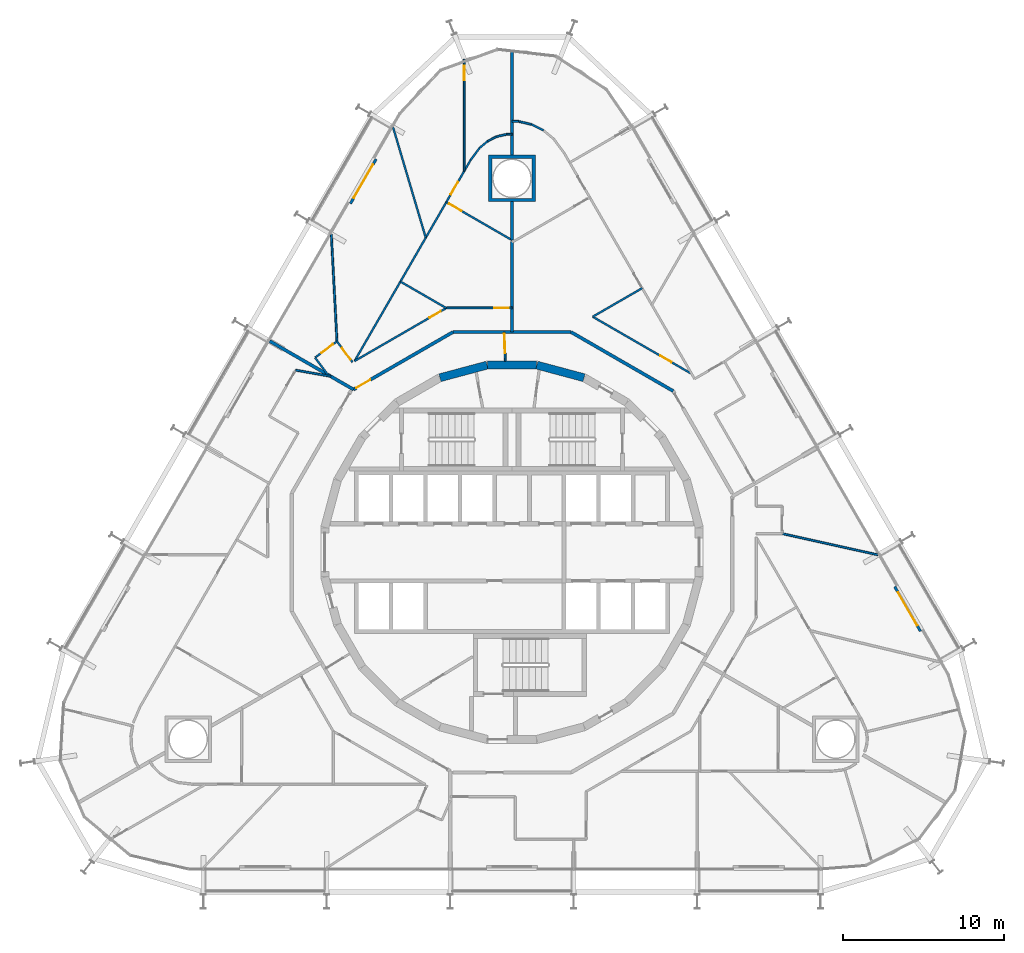
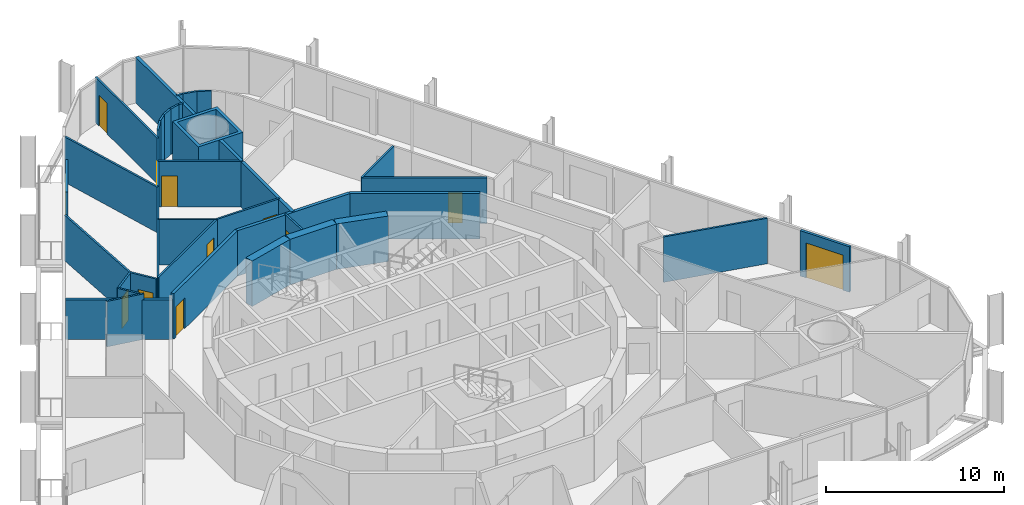
# One storey, part 18 of 21: 37 walls, 12 doors, 12 openings.
"""IFC4 building model written with IfcOpenShell, lengths in metres."""

from ifc_helpers import new_model, si_unit, direction, frame, frame_2d, origin, place, context, subcontext, project, spatial, polyline, rectangle, outline, extrude, material, layer, layer_set, type_object, element, fill, save


model = new_model("IFC4")

# Units and contexts
model_context = context("Model", 3, precision=1e-05, world=origin(), true_north=direction((0.0, 1.0)))
body_context = subcontext(model_context, "Body", "Model", "MODEL_VIEW")
ifc_project = project(units=[si_unit("LENGTHUNIT", "METRE"), si_unit("AREAUNIT", "SQUARE_METRE"), si_unit("VOLUMEUNIT", "CUBIC_METRE"), si_unit("PLANEANGLEUNIT", "RADIAN"), si_unit("MASSUNIT", "GRAM", prefix="KILO")], contexts=[model_context])

# Site, building, storey
site_placement = place(None, origin())
site = spatial("IfcSite", under=ifc_project, at=site_placement, CompositionType="ELEMENT")
building_placement = place(site_placement, origin())
building = spatial("IfcBuilding", under=site, at=building_placement, Name="Spindle Arch Residences", CompositionType="ELEMENT")
storey_placement = place(building_placement, frame((0.0, 0.0, 48.89990234375)))
storey = spatial("IfcBuildingStorey", under=building, at=storey_placement, Name="L10", CompositionType="ELEMENT", Elevation=48.89990234375)

# Walls
ifc_material_1 = material(Name="Concrete C50/60", Category="concrete")
ifc_layer_1 = layer(ifc_material_1, 0.5)
ifc_layer_set_1 = layer_set([ifc_layer_1], Name="Core outline wall 500")
wall_type_1 = type_object("IfcWallType", Name="Core outline wall 500", PredefinedType="SHEAR", material=ifc_layer_set_1)
for number, where, z_axis, x_axis, name in (
    (1, (4.479248046875, 10.858154296875, 0.0), (0.0, 0.0, 1.0), (-0.965948410781, 0.258734743916, 0.0), "Core outline wall 11"),
    (2, (1.516357421875, 11.647216796875, 0.0), (0.0, 0.0, 1.0), (-1.0, 0.0, 0.0), "Core outline wall 12"),
    (3, (-1.5498046875, 11.642822265625, 0.0), (0.0, 0.0, 1.0), (-0.965948410781, -0.258734743916, 0.0), "Core outline wall 13"),
):
    element("IfcWall", number, at=place(storey_placement, frame(where, z_axis=z_axis, x_axis=x_axis)), inside=storey, type_object=wall_type_1, Name=name, PredefinedType="SHEAR", context=body_context, shape_type="SweptSolid", body=[
        extrude(rectangle(XDim=3.03271484375, YDim=0.5, at=frame_2d((1.516357421875, 0.0))), origin(), (0.0, 0.0, 1.0), 3.1201171875),
    ])

# Wall, opening, door
ifc_material_2 = material(Name="Plasterboard on steel studs", Category="steel")
ifc_layer_2 = layer(ifc_material_2, 0.1201171875)
ifc_layer_set_2 = layer_set([ifc_layer_2], Name="Corridor division wall 120")
wall_type_2 = type_object("IfcWallType", Name="Corridor division wall 120", PredefinedType="PARTITIONING", material=ifc_layer_set_2)
wall_1_placement = place(storey_placement, frame((-0.478515625, 13.699951171875, 0.0), z_axis=(0.0, 0.0, 1.0), x_axis=(0.034919103017, -0.999390142159, 0.0)))
wall_1 = element("IfcWall", 4, at=wall_1_placement, inside=storey, type_object=wall_type_2, Name="Corridor division wall R1B1-W001", PredefinedType="PARTITIONING", context=body_context, shape_type="SweptSolid", body=[
    extrude(rectangle(XDim=1.803955078125, YDim=0.1201171875, at=frame_2d((0.90185546875, 0.0))), origin(), (0.0, 0.0, 1.0), 3.1201171875),
])
opening_1_placement = place(wall_1_placement, frame((0.110107421875, 0.0, 0.0)))
opening_1 = element("IfcOpeningElement", 5, at=opening_1_placement, cuts=wall_1, Name="Opening R1B1-CD01", PredefinedType="OPENING", context=body_context, shape_type="SweptSolid", body=[
    extrude(rectangle(XDim=1.199951171875, YDim=2.10009765625, at=frame_2d((0.60009765625, 1.050048828125))), frame((0.0, 0.070068359375, 0.0), z_axis=(0.0, -1.0, 0.0), x_axis=(1.0, 0.0, 0.0)), (0.0, 0.0, 1.0), 0.14013671875),
])
ifc_material_3 = material(Name="Steel, fire-resisting door", Category="steel")
door_type_1 = type_object("IfcDoorType", Name="Corridor division door 1200x2100", OperationType="NOTDEFINED", PredefinedType="DOOR", material=ifc_material_3)
door_1_placement = place(opening_1_placement, origin())
door_1 = element("IfcDoor", 6, at=door_1_placement, inside=storey, type_object=door_type_1, Name="Corridor division door R1B1-CD01", OperationType="DOUBLE_DOOR_SINGLE_SWING", OverallHeight=2.10009765625, OverallWidth=1.199951171875, PredefinedType="DOOR", context=body_context, shape_type="SweptSolid", body=[
    extrude(rectangle(XDim=1.199951171875, YDim=2.10009765625, at=frame_2d((0.60009765625, 1.050048828125))), frame((0.0, 0.02490234375, 0.0), z_axis=(0.0, -1.0, 0.0), x_axis=(1.0, 0.0, 0.0)), (0.0, 0.0, 1.0), 0.050048828125),
])
fill(opening_1, door_1)

# Walls
ifc_material_4 = material(Name="Calcium silicate block, plastered")
ifc_layer_3 = layer(ifc_material_4, 0.199951171875)
ifc_layer_set_3 = layer_set([ifc_layer_3], Name="Corridor wall 200")
wall_type_3 = type_object("IfcWallType", Name="Corridor wall 200", PredefinedType="STANDARD", material=ifc_layer_set_3)
for number, where, z_axis, x_axis, name in (
    (7, (10.029052734375, 10.029052734375, 0.0), (0.0, 0.0, 1.0), (-0.866024439905, 0.500001669485, 0.0), "Corridor wall R1B1-W005"),
    (8, (3.6708984375, 13.699951171875, 0.0), (0.0, 0.0, 1.0), (-1.0, 0.0, 0.0), "Corridor wall R1B1-W006"),
):
    element("IfcWall", number, at=place(storey_placement, frame(where, z_axis=z_axis, x_axis=x_axis)), inside=storey, type_object=wall_type_3, Name=name, PredefinedType="STANDARD", context=body_context, shape_type="SweptSolid", body=[
        extrude(rectangle(XDim=7.341796875, YDim=0.199951171875, at=frame_2d((3.6708984375, 0.0))), origin(), (0.0, 0.0, 1.0), 3.1201171875),
    ])

# Wall, opening, door
wall_2_placement = place(storey_placement, frame((-3.6708984375, 13.699951171875, 0.0), z_axis=(0.0, 0.0, 1.0), x_axis=(-0.866031419417, -0.499989580474, 0.0)))
wall_2 = element("IfcWall", 9, at=wall_2_placement, inside=storey, type_object=wall_type_3, Name="Corridor wall R1B1-W009", PredefinedType="STANDARD", context=body_context, shape_type="SweptSolid", body=[
    extrude(rectangle(XDim=7.146728515625, YDim=0.199951171875, at=frame_2d((3.5732421875, 0.0))), origin(), (0.0, 0.0, 1.0), 3.1201171875),
])
opening_2_placement = place(wall_2_placement, frame((5.946533203125, 0.0, 0.0)))
opening_2 = element("IfcOpeningElement", 10, at=opening_2_placement, cuts=wall_2, Name="Opening R1B1-FD02", PredefinedType="OPENING", context=body_context, shape_type="SweptSolid", body=[
    extrude(rectangle(XDim=1.0, YDim=2.10009765625, at=frame_2d((0.5, 1.050048828125))), frame((0.0, 0.10986328125, 0.0), z_axis=(0.0, -1.0, 0.0), x_axis=(1.0, 0.0, 0.0)), (0.0, 0.0, 1.0), 0.219970703125),
])
ifc_material_5 = material(Name="Timber, fire-resisting door set", Category="wood")
door_type_2 = type_object("IfcDoorType", Name="Flat entrance door 1000x2100", OperationType="NOTDEFINED", PredefinedType="DOOR", material=ifc_material_5)
door_2_placement = place(opening_2_placement, origin())
door_2 = element("IfcDoor", 11, at=door_2_placement, inside=storey, type_object=door_type_2, Name="Flat entrance door R1B1-FD02", OperationType="SINGLE_SWING_LEFT", OverallHeight=2.10009765625, OverallWidth=1.0, PredefinedType="DOOR", context=body_context, shape_type="SweptSolid", body=[
    extrude(rectangle(XDim=1.0, YDim=2.10009765625, at=frame_2d((0.5, 1.050048828125))), frame((0.0, 0.02490234375, 0.0), z_axis=(0.0, -1.0, 0.0), x_axis=(1.0, 0.0, 0.0)), (0.0, 0.0, 1.0), 0.050048828125),
])
fill(opening_2, door_2)

ifc_material_6 = material(Name="Plasterboard on steel studs", Category="steel")
ifc_layer_4 = layer(ifc_material_6, 0.1201171875)
ifc_layer_set_4 = layer_set([ifc_layer_4], Name="Flat partition 120")
wall_type_4 = type_object("IfcWallType", Name="Flat partition 120", PredefinedType="PARTITIONING", material=ifc_layer_set_4)
wall_3_placement = place(storey_placement, frame((11.127197265625, 11.127197265625, 0.0), z_axis=(0.0, 0.0, 1.0), x_axis=(-0.86602299963, 0.500004164094, 0.0)))
wall_3 = element("IfcWall", 12, at=wall_3_placement, inside=storey, type_object=wall_type_4, Name="Flat partition R1B1-W033", PredefinedType="PARTITIONING", context=body_context, shape_type="SweptSolid", body=[
    extrude(rectangle(XDim=7.0517578125, YDim=0.1201171875, at=frame_2d((3.52587890625, 0.0))), origin(), (0.0, 0.0, 1.0), 3.1201171875),
])
opening_3_placement = place(wall_3_placement, frame((1.39990234375, 0.0, 0.0)))
opening_3 = element("IfcOpeningElement", 13, at=opening_3_placement, cuts=wall_3, Name="Opening R1B1-BD01", PredefinedType="OPENING", context=body_context, shape_type="SweptSolid", body=[
    extrude(rectangle(XDim=0.800048828125, YDim=2.10009765625, at=frame_2d((0.39990234375, 1.050048828125))), frame((0.0, 0.070068359375, 0.0), z_axis=(0.0, -1.0, 0.0), x_axis=(1.0, 0.0, 0.0)), (0.0, 0.0, 1.0), 0.14013671875),
])
ifc_material_7 = material(Name="Timber door set", Category="wood")
door_type_3 = type_object("IfcDoorType", Name="Bathroom door 800x2100", OperationType="NOTDEFINED", PredefinedType="DOOR", material=ifc_material_7)
door_3_placement = place(opening_3_placement, origin())
door_3 = element("IfcDoor", 14, at=door_3_placement, inside=storey, type_object=door_type_3, Name="Bathroom door R1B1-BD01", OperationType="SINGLE_SWING_RIGHT", OverallHeight=2.10009765625, OverallWidth=0.800048828125, PredefinedType="DOOR", context=body_context, shape_type="SweptSolid", body=[
    extrude(rectangle(XDim=0.800048828125, YDim=2.10009765625, at=frame_2d((0.39990234375, 1.050048828125))), frame((0.0, 0.02490234375, 0.0), z_axis=(0.0, -1.0, 0.0), x_axis=(1.0, 0.0, 0.0)), (0.0, 0.0, 1.0), 0.050048828125),
])
fill(opening_3, door_3)

# Walls
wall_4_placement = place(storey_placement, frame((5.020263671875, 14.653076171875, 0.0), z_axis=(0.0, 0.0, 1.0), x_axis=(0.866028940167, 0.499993874756, 0.0)))
element("IfcWall", 15, at=wall_4_placement, inside=storey, type_object=wall_type_4, Name="Flat partition R1B1-W034", PredefinedType="PARTITIONING", context=body_context, shape_type="SweptSolid", body=[
    extrude(rectangle(XDim=3.5556640625, YDim=0.1201171875, at=frame_2d((1.77783203125, 0.0))), origin(), (0.0, 0.0, 1.0), 3.1201171875),
])
wall_5_placement = place(storey_placement, frame((0.0, 26.8056640625, 0.0), z_axis=(0.0, 0.0, 1.0), x_axis=(1.0, 0.0, 0.0)))
element("IfcWall", 16, at=wall_5_placement, inside=storey, type_object=wall_type_4, Name="Flat partition R1B1-W041", PredefinedType="PARTITIONING", context=body_context, shape_type="SweptSolid", body=[
    extrude(rectangle(XDim=0.41455078125, YDim=0.1201171875, at=frame_2d((0.207275390625, 0.0))), origin(), (0.0, 0.0, 1.0), 3.1201171875),
])
wall_6_placement = place(storey_placement, frame((0.41455078125, 26.8056640625, 0.0), z_axis=(0.0, 0.0, 1.0), x_axis=(0.973048993259, -0.230598475097, 0.0)))
element("IfcWall", 17, at=wall_6_placement, inside=storey, type_object=wall_type_4, Name="Flat partition R1B1-W042", PredefinedType="PARTITIONING", context=body_context, shape_type="SweptSolid", body=[
    extrude(rectangle(XDim=0.8291015625, YDim=0.1201171875, at=frame_2d((0.41455078125, 0.0))), origin(), (0.0, 0.0, 1.0), 3.1201171875),
])
wall_7_placement = place(storey_placement, frame((1.22119140625, 26.614501953125, 0.0), z_axis=(0.0, 0.0, 1.0), x_axis=(0.893719110379, -0.448626962791, 0.0)))
element("IfcWall", 18, at=wall_7_placement, inside=storey, type_object=wall_type_4, Name="Flat partition R1B1-W043", PredefinedType="PARTITIONING", context=body_context, shape_type="SweptSolid", body=[
    extrude(rectangle(XDim=0.828857421875, YDim=0.1201171875, at=frame_2d((0.41455078125, 0.0))), origin(), (0.0, 0.0, 1.0), 3.1201171875),
])

# Wall, opening, door
wall_8_placement = place(storey_placement, frame((0.0, 15.199951171875, 0.0), z_axis=(0.0, 0.0, 1.0), x_axis=(-1.0, 0.0, 0.0)))
wall_8 = element("IfcWall", 19, at=wall_8_placement, inside=storey, type_object=wall_type_4, Name="Flat partition R1B1-W046", PredefinedType="PARTITIONING", context=body_context, shape_type="SweptSolid", body=[
    extrude(rectangle(XDim=4.07275390625, YDim=0.1201171875, at=frame_2d((2.036376953125, 0.0))), origin(), (0.0, 0.0, 1.0), 3.1201171875),
])
opening_4_placement = place(wall_8_placement, frame((0.199951171875, 0.0, 0.0)))
opening_4 = element("IfcOpeningElement", 20, at=opening_4_placement, cuts=wall_8, Name="Opening R1B1-ID07", PredefinedType="OPENING", context=body_context, shape_type="SweptSolid", body=[
    extrude(rectangle(XDim=0.89990234375, YDim=2.10009765625, at=frame_2d((0.449951171875, 1.050048828125))), frame((0.0, 0.070068359375, 0.0), z_axis=(0.0, -1.0, 0.0), x_axis=(1.0, 0.0, 0.0)), (0.0, 0.0, 1.0), 0.14013671875),
])
ifc_material_8 = material(Name="Timber door set", Category="wood")
door_type_4 = type_object("IfcDoorType", Name="Room door 900x2100", OperationType="NOTDEFINED", PredefinedType="DOOR", material=ifc_material_8)
door_4_placement = place(opening_4_placement, origin())
door_4 = element("IfcDoor", 21, at=door_4_placement, inside=storey, type_object=door_type_4, Name="Room door R1B1-ID07", OperationType="SINGLE_SWING_RIGHT", OverallHeight=2.10009765625, OverallWidth=0.89990234375, PredefinedType="DOOR", context=body_context, shape_type="SweptSolid", body=[
    extrude(rectangle(XDim=0.89990234375, YDim=2.10009765625, at=frame_2d((0.449951171875, 1.050048828125))), frame((0.0, 0.02490234375, 0.0), z_axis=(0.0, -1.0, 0.0), x_axis=(1.0, 0.0, 0.0)), (0.0, 0.0, 1.0), 0.050048828125),
])
fill(opening_4, door_4)

wall_9_placement = place(storey_placement, frame((-9.919677734375, 11.82421875, 0.0), z_axis=(0.0, 0.0, 1.0), x_axis=(-0.597853402964, 0.801605456921, 0.0)))
wall_9 = element("IfcWall", 22, at=wall_9_placement, inside=storey, type_object=wall_type_4, Name="Flat partition R1B1-W047", PredefinedType="PARTITIONING", context=body_context, shape_type="SweptSolid", body=[
    extrude(rectangle(XDim=1.62109375, YDim=0.1201171875, at=frame_2d((0.810546875, 0.0))), origin(), (0.0, 0.0, 1.0), 3.1201171875),
])
opening_5_placement = place(wall_9_placement, frame((0.199951171875, 0.0, 0.0)))
opening_5 = element("IfcOpeningElement", 23, at=opening_5_placement, cuts=wall_9, Name="Opening R1B1-ID08", PredefinedType="OPENING", context=body_context, shape_type="SweptSolid", body=[
    extrude(rectangle(XDim=0.89990234375, YDim=2.10009765625, at=frame_2d((0.449951171875, 1.050048828125))), frame((0.0, 0.070068359375, 0.0), z_axis=(0.0, -1.0, 0.0), x_axis=(1.0, 0.0, 0.0)), (0.0, 0.0, 1.0), 0.14013671875),
])
door_5_placement = place(opening_5_placement, origin())
door_5 = element("IfcDoor", 24, at=door_5_placement, inside=storey, type_object=door_type_4, Name="Room door R1B1-ID08", OperationType="SINGLE_SWING_RIGHT", OverallHeight=2.10009765625, OverallWidth=0.89990234375, PredefinedType="DOOR", context=body_context, shape_type="SweptSolid", body=[
    extrude(rectangle(XDim=0.89990234375, YDim=2.10009765625, at=frame_2d((0.449951171875, 1.050048828125))), frame((0.0, 0.02490234375, 0.0), z_axis=(0.0, -1.0, 0.0), x_axis=(1.0, 0.0, 0.0)), (0.0, 0.0, 1.0), 0.050048828125),
])
fill(opening_5, door_5)

wall_10_placement = place(storey_placement, frame((-4.08837890625, 15.19091796875, 0.0), z_axis=(0.0, 0.0, 1.0), x_axis=(-0.866024500911, -0.50000156382, 0.0)))
wall_10 = element("IfcWall", 25, at=wall_10_placement, inside=storey, type_object=wall_type_4, Name="Flat partition R1B1-W048", PredefinedType="PARTITIONING", context=body_context, shape_type="SweptSolid", body=[
    extrude(rectangle(XDim=6.58740234375, YDim=0.1201171875, at=frame_2d((3.293701171875, 0.0))), origin(), (0.0, 0.0, 1.0), 3.1201171875),
])
opening_6_placement = place(wall_10_placement, frame((0.39990234375, 0.0, 0.0)))
opening_6 = element("IfcOpeningElement", 26, at=opening_6_placement, cuts=wall_10, Name="Opening R1B1-BD02", PredefinedType="OPENING", context=body_context, shape_type="SweptSolid", body=[
    extrude(rectangle(XDim=0.800048828125, YDim=2.10009765625, at=frame_2d((0.39990234375, 1.050048828125))), frame((0.0, 0.070068359375, 0.0), z_axis=(0.0, -1.0, 0.0), x_axis=(1.0, 0.0, 0.0)), (0.0, 0.0, 1.0), 0.14013671875),
])
door_6_placement = place(opening_6_placement, origin())
door_6 = element("IfcDoor", 27, at=door_6_placement, inside=storey, type_object=door_type_3, Name="Bathroom door R1B1-BD02", OperationType="SINGLE_SWING_LEFT", OverallHeight=2.10009765625, OverallWidth=0.800048828125, PredefinedType="DOOR", context=body_context, shape_type="SweptSolid", body=[
    extrude(rectangle(XDim=0.800048828125, YDim=2.10009765625, at=frame_2d((0.39990234375, 1.050048828125))), frame((0.0, 0.02490234375, 0.0), z_axis=(0.0, -1.0, 0.0), x_axis=(1.0, 0.0, 0.0)), (0.0, 0.0, 1.0), 0.050048828125),
])
fill(opening_6, door_6)

wall_11_placement = place(storey_placement, frame((-10.888916015625, 13.123779296875, 0.0), z_axis=(0.0, 0.0, 1.0), x_axis=(-0.801616976804, -0.597837956724, 0.0)))
wall_11 = element("IfcWall", 28, at=wall_11_placement, inside=storey, type_object=wall_type_4, Name="Flat partition R1B1-W049", PredefinedType="PARTITIONING", context=body_context, shape_type="SweptSolid", body=[
    extrude(rectangle(XDim=1.699951171875, YDim=0.1201171875, at=frame_2d((0.85009765625, 0.0))), origin(), (0.0, 0.0, 1.0), 3.1201171875),
])
opening_7_placement = place(wall_11_placement, frame((0.300048828125, 0.0, 0.0)))
opening_7 = element("IfcOpeningElement", 29, at=opening_7_placement, cuts=wall_11, Name="Opening R1B1-ID09", PredefinedType="OPENING", context=body_context, shape_type="SweptSolid", body=[
    extrude(rectangle(XDim=0.89990234375, YDim=2.10009765625, at=frame_2d((0.449951171875, 1.050048828125))), frame((0.0, 0.070068359375, 0.0), z_axis=(0.0, -1.0, 0.0), x_axis=(1.0, 0.0, 0.0)), (0.0, 0.0, 1.0), 0.14013671875),
])
door_7_placement = place(opening_7_placement, origin())
door_7 = element("IfcDoor", 30, at=door_7_placement, inside=storey, type_object=door_type_4, Name="Room door R1B1-ID09", OperationType="SINGLE_SWING_LEFT", OverallHeight=2.10009765625, OverallWidth=0.89990234375, PredefinedType="DOOR", context=body_context, shape_type="SweptSolid", body=[
    extrude(rectangle(XDim=0.89990234375, YDim=2.10009765625, at=frame_2d((0.449951171875, 1.050048828125))), frame((0.0, 0.02490234375, 0.0), z_axis=(0.0, -1.0, 0.0), x_axis=(1.0, 0.0, 0.0)), (0.0, 0.0, 1.0), 0.050048828125),
])
fill(opening_7, door_7)

# Wall
wall_12_placement = place(storey_placement, frame((-12.251708984375, 12.107421875, 0.0), z_axis=(0.0, 0.0, 1.0), x_axis=(0.597827926538, -0.801624457119, 0.0)))
element("IfcWall", 31, at=wall_12_placement, inside=storey, type_object=wall_type_4, Name="Flat partition R1B1-W050", PredefinedType="PARTITIONING", context=body_context, shape_type="SweptSolid", body=[
    extrude(rectangle(XDim=1.314208984375, YDim=0.1201171875, at=frame_2d((0.6572265625, 0.0))), origin(), (0.0, 0.0, 1.0), 3.1201171875),
])

# Wall, opening, door
wall_13_placement = place(storey_placement, frame((-9.793212890625, 11.897216796875, 0.0), z_axis=(0.0, 0.0, 1.0), x_axis=(0.499981117606, 0.866036305265, 0.0)))
wall_13 = element("IfcWall", 32, at=wall_13_placement, inside=storey, type_object=wall_type_4, Name="Flat partition R1B1-W051", PredefinedType="PARTITIONING", context=body_context, shape_type="SweptSolid", body=[
    extrude(rectangle(XDim=14.43408203125, YDim=0.1201171875, at=frame_2d((7.217041015625, 0.0))), origin(), (0.0, 0.0, 1.0), 3.1201171875),
])
opening_8_placement = place(wall_13_placement, frame((11.969970703125, 0.0, 0.0)))
opening_8 = element("IfcOpeningElement", 33, at=opening_8_placement, cuts=wall_13, Name="Opening R1B1-ID11", PredefinedType="OPENING", context=body_context, shape_type="SweptSolid", body=[
    extrude(rectangle(XDim=0.89990234375, YDim=2.10009765625, at=frame_2d((0.449951171875, 1.050048828125))), frame((0.0, 0.070068359375, 0.0), z_axis=(0.0, -1.0, 0.0), x_axis=(1.0, 0.0, 0.0)), (0.0, 0.0, 1.0), 0.14013671875),
])
door_8_placement = place(opening_8_placement, origin())
door_8 = element("IfcDoor", 34, at=door_8_placement, inside=storey, type_object=door_type_4, Name="Room door R1B1-ID11", OperationType="SINGLE_SWING_LEFT", OverallHeight=2.10009765625, OverallWidth=0.89990234375, PredefinedType="DOOR", context=body_context, shape_type="SweptSolid", body=[
    extrude(rectangle(XDim=0.89990234375, YDim=2.10009765625, at=frame_2d((0.449951171875, 1.050048828125))), frame((0.0, 0.02490234375, 0.0), z_axis=(0.0, -1.0, 0.0), x_axis=(1.0, 0.0, 0.0)), (0.0, 0.0, 1.0), 0.050048828125),
])
fill(opening_8, door_8)

# Walls
wall_14_placement = place(storey_placement, frame((-2.576416015625, 24.397705078125, 0.0), z_axis=(0.0, 0.0, 1.0), x_axis=(0.597273205282, 0.802037853379, 0.0)))
element("IfcWall", 35, at=wall_14_placement, inside=storey, type_object=wall_type_4, Name="Flat partition R1B1-W052", PredefinedType="PARTITIONING", context=body_context, shape_type="SweptSolid", body=[
    extrude(rectangle(XDim=0.94677734375, YDim=0.1201171875, at=frame_2d((0.473388671875, 0.0))), origin(), (0.0, 0.0, 1.0), 3.1201171875),
])
wall_15_placement = place(storey_placement, frame((-2.010986328125, 25.156982421875, 0.0), z_axis=(0.0, 0.0, 1.0), x_axis=(0.76603445255, 0.642799515795, 0.0)))
element("IfcWall", 36, at=wall_15_placement, inside=storey, type_object=wall_type_4, Name="Flat partition R1B1-W053", PredefinedType="PARTITIONING", context=body_context, shape_type="SweptSolid", body=[
    extrude(rectangle(XDim=0.641845703125, YDim=0.1201171875, at=frame_2d((0.32080078125, 0.0))), origin(), (0.0, 0.0, 1.0), 3.1201171875),
])
wall_16_placement = place(storey_placement, frame((-1.519287109375, 25.569580078125, 0.0), z_axis=(0.0, 0.0, 1.0), x_axis=(0.893665331281, 0.448734081239, 0.0)))
element("IfcWall", 37, at=wall_16_placement, inside=storey, type_object=wall_type_4, Name="Flat partition R1B1-W054", PredefinedType="PARTITIONING", context=body_context, shape_type="SweptSolid", body=[
    extrude(rectangle(XDim=0.64208984375, YDim=0.1201171875, at=frame_2d((0.321044921875, 0.0))), origin(), (0.0, 0.0, 1.0), 3.1201171875),
])
wall_17_placement = place(storey_placement, frame((-0.945556640625, 25.857666015625, 0.0), z_axis=(0.0, 0.0, 1.0), x_axis=(0.973066815876, 0.230523256615, 0.0)))
element("IfcWall", 38, at=wall_17_placement, inside=storey, type_object=wall_type_4, Name="Flat partition R1B1-W055", PredefinedType="PARTITIONING", context=body_context, shape_type="SweptSolid", body=[
    extrude(rectangle(XDim=0.641845703125, YDim=0.1201171875, at=frame_2d((0.32080078125, 0.0))), origin(), (0.0, 0.0, 1.0), 3.1201171875),
])
wall_18_placement = place(storey_placement, frame((-0.321044921875, 26.005615234375, 0.0), z_axis=(0.0, 0.0, 1.0), x_axis=(1.0, 0.0, 0.0)))
element("IfcWall", 39, at=wall_18_placement, inside=storey, type_object=wall_type_4, Name="Flat partition R1B1-W056", PredefinedType="PARTITIONING", context=body_context, shape_type="SweptSolid", body=[
    extrude(rectangle(XDim=0.321044921875, YDim=0.1201171875, at=frame_2d((0.16064453125, 0.0))), origin(), (0.0, 0.0, 1.0), 3.1201171875),
])

# Wall, opening, door
wall_19_placement = place(storey_placement, frame((-2.968994140625, 30.660400390625, 0.0), z_axis=(0.0, 0.0, 1.0), x_axis=(0.0, -1.0, 0.0)))
wall_19 = element("IfcWall", 40, at=wall_19_placement, inside=storey, type_object=wall_type_4, Name="Flat partition R1B1-W057", PredefinedType="PARTITIONING", context=body_context, shape_type="SweptSolid", body=[
    extrude(rectangle(XDim=6.94287109375, YDim=0.1201171875, at=frame_2d((3.471435546875, 0.0))), origin(), (0.0, 0.0, 1.0), 3.1201171875),
])
opening_9_placement = place(wall_19_placement, frame((0.39990234375, 0.0, 0.0)))
opening_9 = element("IfcOpeningElement", 41, at=opening_9_placement, cuts=wall_19, Name="Opening R1B1-ID12", PredefinedType="OPENING", context=body_context, shape_type="SweptSolid", body=[
    extrude(rectangle(XDim=0.89990234375, YDim=2.10009765625, at=frame_2d((0.449951171875, 1.050048828125))), frame((0.0, 0.070068359375, 0.0), z_axis=(0.0, -1.0, 0.0), x_axis=(1.0, 0.0, 0.0)), (0.0, 0.0, 1.0), 0.14013671875),
])
door_9_placement = place(opening_9_placement, origin())
door_9 = element("IfcDoor", 42, at=door_9_placement, inside=storey, type_object=door_type_4, Name="Room door R1B1-ID12", OperationType="SINGLE_SWING_LEFT", OverallHeight=2.10009765625, OverallWidth=0.89990234375, PredefinedType="DOOR", context=body_context, shape_type="SweptSolid", body=[
    extrude(rectangle(XDim=0.89990234375, YDim=2.10009765625, at=frame_2d((0.449951171875, 1.050048828125))), frame((0.0, 0.02490234375, 0.0), z_axis=(0.0, -1.0, 0.0), x_axis=(1.0, 0.0, 0.0)), (0.0, 0.0, 1.0), 0.050048828125),
])
fill(opening_9, door_9)

wall_20_placement = place(storey_placement, frame((-4.08837890625, 21.778564453125, 0.0), z_axis=(0.0, 0.0, 1.0), x_axis=(0.866032292145, -0.49998806882, 0.0)))
wall_20 = element("IfcWall", 43, at=wall_20_placement, inside=storey, type_object=wall_type_4, Name="Flat partition R1B1-W058", PredefinedType="PARTITIONING", context=body_context, shape_type="SweptSolid", body=[
    extrude(rectangle(XDim=4.720703125, YDim=0.1201171875, at=frame_2d((2.3603515625, 0.0))), origin(), (0.0, 0.0, 1.0), 3.1201171875),
])
opening_10_placement = place(wall_20_placement, frame((0.199951171875, 0.0, 0.0)))
opening_10 = element("IfcOpeningElement", 44, at=opening_10_placement, cuts=wall_20, Name="Opening R1B1-ID10", PredefinedType="OPENING", context=body_context, shape_type="SweptSolid", body=[
    extrude(rectangle(XDim=0.89990234375, YDim=2.10009765625, at=frame_2d((0.449951171875, 1.050048828125))), frame((0.0, 0.070068359375, 0.0), z_axis=(0.0, -1.0, 0.0), x_axis=(1.0, 0.0, 0.0)), (0.0, 0.0, 1.0), 0.14013671875),
])
door_10_placement = place(opening_10_placement, origin())
door_10 = element("IfcDoor", 45, at=door_10_placement, inside=storey, type_object=door_type_4, Name="Room door R1B1-ID10", OperationType="SINGLE_SWING_LEFT", OverallHeight=2.10009765625, OverallWidth=0.89990234375, PredefinedType="DOOR", context=body_context, shape_type="SweptSolid", body=[
    extrude(rectangle(XDim=0.89990234375, YDim=2.10009765625, at=frame_2d((0.449951171875, 1.050048828125))), frame((0.0, 0.02490234375, 0.0), z_axis=(0.0, -1.0, 0.0), x_axis=(1.0, 0.0, 0.0)), (0.0, 0.0, 1.0), 0.050048828125),
])
fill(opening_10, door_10)

# Walls
wall_21_placement = place(storey_placement, frame((-6.94091796875, 16.837890625, 0.0), z_axis=(0.0, 0.0, 1.0), x_axis=(0.866017718408, -0.500013311227, 0.0)))
element("IfcWall", 46, at=wall_21_placement, inside=storey, type_object=wall_type_4, Name="Flat partition R1B1-W059", PredefinedType="PARTITIONING", context=body_context, shape_type="SweptSolid", body=[
    extrude(rectangle(XDim=3.2939453125, YDim=0.1201171875, at=frame_2d((1.64697265625, 0.0))), origin(), (0.0, 0.0, 1.0), 3.1201171875),
])
wall_22_placement = place(storey_placement, frame((-7.39990234375, 26.44287109375, 0.0), z_axis=(0.0, 0.0, 1.0), x_axis=(0.283756762476, -0.958896292489, 0.0)))
element("IfcWall", 47, at=wall_22_placement, inside=storey, type_object=wall_type_4, Name="Flat partition R1B1-W060", PredefinedType="PARTITIONING", context=body_context, shape_type="SweptSolid", body=[
    extrude(rectangle(XDim=7.17041015625, YDim=0.1201171875, at=frame_2d((3.585205078125, 0.0))), origin(), (0.0, 0.0, 1.0), 3.1201171875),
])
wall_23_placement = place(storey_placement, frame((-11.239990234375, 19.79150390625, 0.0), z_axis=(0.0, 0.0, 1.0), x_axis=(0.052579943632, -0.998616718029, 0.0)))
element("IfcWall", 48, at=wall_23_placement, inside=storey, type_object=wall_type_4, Name="Flat partition R1B1-W061", PredefinedType="PARTITIONING", context=body_context, shape_type="SweptSolid", body=[
    extrude(rectangle(XDim=6.677001953125, YDim=0.1201171875, at=frame_2d((3.33837890625, 0.0))), origin(), (0.0, 0.0, 1.0), 3.1201171875),
])
wall_24_placement = place(storey_placement, frame((-11.26953125, 10.9404296875, 0.0), z_axis=(0.0, 0.0, 1.0), x_axis=(-0.984382718707, 0.176041651637, 0.0)))
element("IfcWall", 49, at=wall_24_placement, inside=storey, type_object=wall_type_4, Name="Flat partition R1B1-W062", PredefinedType="PARTITIONING", context=body_context, shape_type="SweptSolid", body=[
    extrude(rectangle(XDim=2.2216796875, YDim=0.1201171875, at=frame_2d((1.11083984375, 0.0))), origin(), (0.0, 0.0, 1.0), 3.1201171875),
])
wall_25_placement = place(storey_placement, frame((16.80029296875, 1.16162109375, 0.0), z_axis=(0.0, 0.0, 1.0), x_axis=(0.976218101949, -0.216790722652, 0.0)))
element("IfcWall", 50, at=wall_25_placement, inside=storey, type_object=wall_type_4, Name="Flat partition R1B1-W116", PredefinedType="PARTITIONING", context=body_context, shape_type="SweptSolid", body=[
    extrude(rectangle(XDim=6.10498046875, YDim=0.1201171875, at=frame_2d((3.052490234375, 0.0))), origin(), (0.0, 0.0, 1.0), 3.1201171875),
])
ifc_material_9 = material(Name="Calcium silicate block, plastered")
ifc_layer_5 = layer(ifc_material_9, 0.199951171875)
ifc_layer_set_5 = layer_set([ifc_layer_5], Name="Flat party wall 200")
wall_type_5 = type_object("IfcWallType", Name="Flat party wall 200", PredefinedType="STANDARD", material=ifc_layer_set_5)
wall_26_placement = place(storey_placement, frame((0.0, 19.326416015625, 0.0), z_axis=(0.0, 0.0, 1.0), x_axis=(0.0, -1.0, 0.0)))
element("IfcWall", 51, at=wall_26_placement, inside=storey, type_object=wall_type_5, Name="Flat party wall R1B1-W017", PredefinedType="STANDARD", context=body_context, shape_type="SweptSolid", body=[
    extrude(rectangle(XDim=5.62646484375, YDim=0.199951171875, at=frame_2d((2.813232421875, 0.0))), origin(), (0.0, 0.0, 1.0), 3.1201171875),
])
wall_27_placement = place(storey_placement, frame((0.0, 31.205810546875, 0.0), z_axis=(0.0, 0.0, 1.0), x_axis=(0.0, -1.0, 0.0)))
element("IfcWall", 52, at=wall_27_placement, inside=storey, type_object=wall_type_5, Name="Flat party wall R1B1-W019", PredefinedType="STANDARD", context=body_context, shape_type="SweptSolid", body=[
    extrude(rectangle(XDim=6.49609375, YDim=0.199951171875, at=frame_2d((3.248046875, 0.0))), origin(), (0.0, 0.0, 1.0), 3.1201171875),
])
wall_28_placement = place(storey_placement, frame((0.0, 21.809814453125, 0.0), z_axis=(0.0, 0.0, 1.0), x_axis=(0.0, -1.0, 0.0)))
element("IfcWall", 53, at=wall_28_placement, inside=storey, type_object=wall_type_5, Name="Flat party wall R1B1-W020", PredefinedType="STANDARD", context=body_context, shape_type="SweptSolid", body=[
    extrude(rectangle(XDim=2.3916015625, YDim=0.199951171875, at=frame_2d((1.19580078125, 0.0))), origin(), (0.0, 0.0, 1.0), 3.1201171875),
])
ifc_material_10 = material(Name="Calcium silicate block, plastered")
ifc_layer_6 = layer(ifc_material_10, 0.199951171875)
ifc_layer_set_6 = layer_set([ifc_layer_6], Name="Flat party wall 200 under beam 2730")
wall_type_6 = type_object("IfcWallType", Name="Flat party wall 200 under beam 2730", PredefinedType="STANDARD", material=ifc_layer_set_6)
wall_29_placement = place(storey_placement, frame((-15.080078125, 13.140380859375, 0.0), z_axis=(0.0, 0.0, 1.0), x_axis=(0.86603112331, -0.49999009336, 0.0)))
element("IfcWall", 54, at=wall_29_placement, inside=storey, type_object=wall_type_6, Name="Flat party wall R1B1-W021", PredefinedType="STANDARD", context=body_context, shape_type="SweptSolid", body=[
    extrude(rectangle(XDim=6.02734375, YDim=0.199951171875, at=frame_2d((3.013671875, 0.0))), origin(), (0.0, 0.0, 1.0), 2.72998046875),
])

# Wall, opening, door
ifc_material_11 = material(Name="Non-combustible mineral wool insulated aluminium faced external wall (K0)", Category="aluminium")
ifc_layer_7 = layer(ifc_material_11, 0.159912109375)
ifc_layer_set_7 = layer_set([ifc_layer_7], Name="Insulated external wall panel 160")
wall_type_7 = type_object("IfcWallType", Name="Insulated external wall panel 160", PredefinedType="STANDARD", material=ifc_layer_set_7)
wall_30_placement = place(storey_placement, frame((25.410888671875, -4.912841796875, 0.0), z_axis=(0.0, 0.0, 1.0), x_axis=(-0.500028443584, 0.866008981251, 0.0)))
wall_30 = element("IfcWall", 55, at=wall_30_placement, inside=storey, type_object=wall_type_7, Name="External wall L10 bay 6", PredefinedType="STANDARD", context=body_context, shape_type="SweptSolid", body=[
    extrude(rectangle(XDim=3.199951171875, YDim=0.159912109375, at=frame_2d((1.60009765625, 0.0))), origin(), (0.0, 0.0, 1.0), 3.1201171875),
])
opening_11_placement = place(wall_30_placement, frame((0.39990234375, 0.0, 0.0)))
opening_11 = element("IfcOpeningElement", 56, at=opening_11_placement, cuts=wall_30, Name="Opening BD06", PredefinedType="OPENING", context=body_context, shape_type="SweptSolid", body=[
    extrude(rectangle(XDim=2.39990234375, YDim=2.39990234375, at=frame_2d((1.199951171875, 1.199951171875))), frame((0.0, 0.08984375, 0.0), z_axis=(0.0, -1.0, 0.0), x_axis=(1.0, 0.0, 0.0)), (0.0, 0.0, 1.0), 0.179931640625),
])
ifc_material_12 = material(Name="Bronze aluminium frame, tinted double glazing", Category="aluminium")
door_type_5 = type_object("IfcDoorType", Name="Sliding glazed balcony door 2400x2400", OperationType="DOUBLE_DOOR_SLIDING", PredefinedType="DOOR", material=ifc_material_12)
door_11_placement = place(opening_11_placement, origin())
door_11 = element("IfcDoor", 57, at=door_11_placement, inside=storey, type_object=door_type_5, Name="Balcony door BD06", OperationType="DOUBLE_DOOR_SLIDING", OverallHeight=2.39990234375, OverallWidth=2.39990234375, PredefinedType="DOOR", context=body_context, shape_type="SweptSolid", body=[
    extrude(rectangle(XDim=2.39990234375, YDim=2.39990234375, at=frame_2d((1.199951171875, 1.199951171875))), frame((0.0, 0.02490234375, 0.0), z_axis=(0.0, -1.0, 0.0), x_axis=(1.0, 0.0, 0.0)), (0.0, 0.0, 1.0), 0.050048828125),
])
fill(opening_11, door_11)

wall_31_placement = place(storey_placement, frame((-8.45068359375, 24.462890625, 0.0), z_axis=(0.0, 0.0, 1.0), x_axis=(-0.499971222258, -0.866042017984, 0.0)))
wall_31 = element("IfcWall", 58, at=wall_31_placement, inside=storey, type_object=wall_type_7, Name="External wall L10 bay 14", PredefinedType="STANDARD", context=body_context, shape_type="SweptSolid", body=[
    extrude(rectangle(XDim=3.199951171875, YDim=0.159912109375, at=frame_2d((1.60009765625, 0.0))), origin(), (0.0, 0.0, 1.0), 3.1201171875),
])
opening_12_placement = place(wall_31_placement, frame((0.39990234375, 0.0, 0.0)))
opening_12 = element("IfcOpeningElement", 59, at=opening_12_placement, cuts=wall_31, Name="Opening BD14", PredefinedType="OPENING", context=body_context, shape_type="SweptSolid", body=[
    extrude(rectangle(XDim=2.39990234375, YDim=2.39990234375, at=frame_2d((1.199951171875, 1.199951171875))), frame((0.0, 0.08984375, 0.0), z_axis=(0.0, -1.0, 0.0), x_axis=(1.0, 0.0, 0.0)), (0.0, 0.0, 1.0), 0.179931640625),
])
door_12_placement = place(opening_12_placement, origin())
door_12 = element("IfcDoor", 60, at=door_12_placement, inside=storey, type_object=door_type_5, Name="Balcony door BD14", OperationType="DOUBLE_DOOR_SLIDING", OverallHeight=2.39990234375, OverallWidth=2.39990234375, PredefinedType="DOOR", context=body_context, shape_type="SweptSolid", body=[
    extrude(rectangle(XDim=2.39990234375, YDim=2.39990234375, at=frame_2d((1.199951171875, 1.199951171875))), frame((0.0, 0.02490234375, 0.0), z_axis=(0.0, -1.0, 0.0), x_axis=(1.0, 0.0, 0.0)), (0.0, 0.0, 1.0), 0.050048828125),
])
fill(opening_12, door_12)

# Wall
ifc_material_13 = material(Name="Calcium silicate block, plastered")
ifc_layer_8 = layer(ifc_material_13, 0.199951171875)
ifc_layer_set_8 = layer_set([ifc_layer_8], Name="Mega-column casing wall 200")
wall_type_8 = type_object("IfcWallType", Name="Mega-column casing wall 200", PredefinedType="STANDARD", material=ifc_layer_set_8)
wall_32_placement = place(storey_placement, origin())
element("IfcWall", 61, at=wall_32_placement, inside=storey, type_object=wall_type_8, Name="Mega-column casing wall R1B1-WC01", PredefinedType="STANDARD", context=body_context, shape_type="SweptSolid", body=[
    extrude(outline(polyline([(1.449951171875, 24.709716796875), (1.449951171875, 21.809814453125), (-1.449951171875, 21.809814453125), (-1.449951171875, 24.709716796875), (1.449951171875, 24.709716796875)]), holes=[polyline([(-1.25, 22.009765625), (1.25, 22.009765625), (1.25, 24.509765625), (-1.25, 24.509765625), (-1.25, 22.009765625)])]), origin(), (0.0, 0.0, 1.0), 3.1201171875),
])

save(model, "model.ifc")
